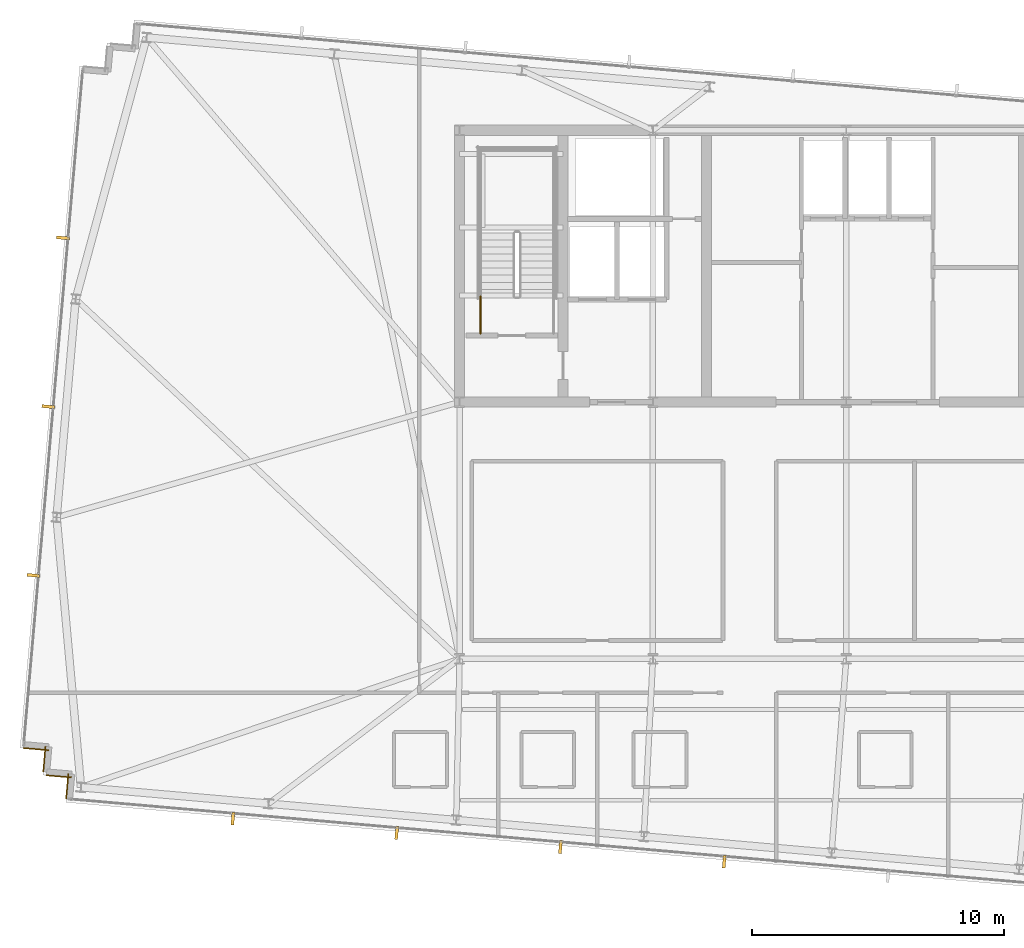
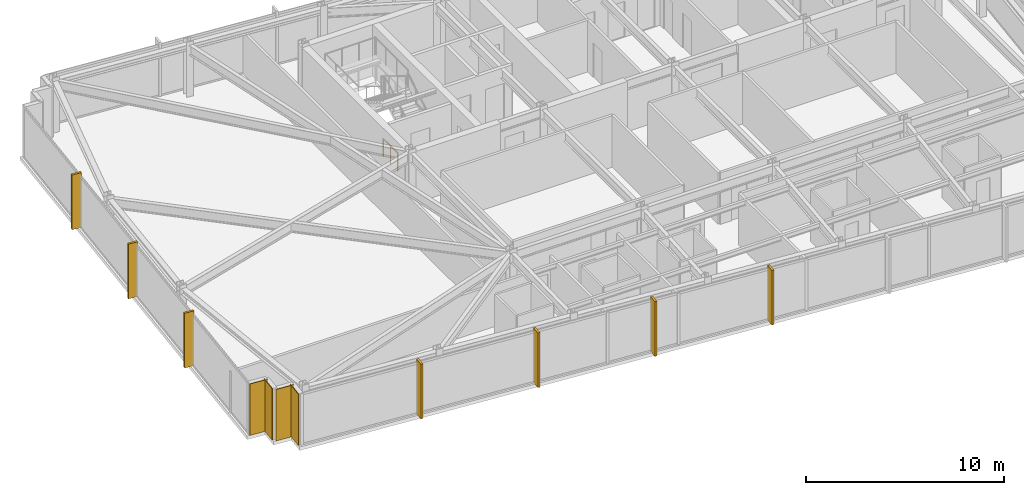
# One storey, part 30 of 33: 7 shading devices, 4 coverings, 1 railing.
"""IFC4 building model written with IfcOpenShell, lengths in metres."""

from ifc_helpers import new_model, si_unit, direction, frame, frame_2d, origin, origin_2d, place, context, subcontext, project, spatial, rectangle, circle, extrude, material, layer, layer_set, type_object, element, save


model = new_model("IFC4")

# Units and contexts
model_context = context("Model", 3, precision=1e-05, world=origin(), true_north=direction((0.0, 1.0)))
body_context = subcontext(model_context, "Body", "Model", "MODEL_VIEW")
ifc_project = project(units=[si_unit("LENGTHUNIT", "METRE"), si_unit("AREAUNIT", "SQUARE_METRE"), si_unit("VOLUMEUNIT", "CUBIC_METRE"), si_unit("PLANEANGLEUNIT", "RADIAN"), si_unit("MASSUNIT", "GRAM", prefix="KILO")], contexts=[model_context])

# Site, building, storey
site_placement = place(None, origin())
site = spatial("IfcSite", under=ifc_project, at=site_placement, CompositionType="ELEMENT")
building_placement = place(site_placement, origin())
building = spatial("IfcBuilding", under=site, at=building_placement, Name="Yelkora Congress Tower", CompositionType="ELEMENT")
storey_placement = place(building_placement, frame((0.0, 0.0, 286.300048828125)))
storey = spatial("IfcBuildingStorey", under=building, at=storey_placement, Name="L80", CompositionType="ELEMENT", Elevation=286.300048828125)

# Coverings
ifc_material_1 = material(Name="Anatolian bush-hammered limestone", Category="masonry")
ifc_layer_1 = layer(ifc_material_1, 0.0400390625)
ifc_layer_set_1 = layer_set([ifc_layer_1], Name="Anatolian bush-hammered limestone")
covering_type = type_object("IfcCoveringType", Name="COV-CLAD-SPANDREL-40", PredefinedType="CLADDING", material=ifc_layer_set_1)
for number, where, z_axis, x_axis, name in (
    (1, (7.41064453125, 19.63720703125, 0.0), (0.0, 0.0, 1.0), (0.087166950281, 0.996193717496, 0.0), "L80 Anatolian Limestone Cladding EW-L80-SR01"),
    (2, (7.62060546875, 20.4873046875, 0.0), (0.0, 0.0, 1.0), (-0.996214890596, 0.086924632611, 0.0), "L80 Anatolian Limestone Cladding EW-L80-SR02"),
):
    element("IfcCovering", number, at=place(storey_placement, frame(where, z_axis=z_axis, x_axis=x_axis)), inside=storey, type_object=covering_type, Name=name, PredefinedType="CLADDING", context=body_context, shape_type="SweptSolid", body=[
        extrude(rectangle(XDim=1.0, YDim=0.0400390625, at=frame_2d((0.5, 0.0))), origin(), (0.0, 0.0, 1.0), 3.179931640625),
    ])
covering_1_placement = place(storey_placement, frame((6.501708984375, 20.720458984375, 0.0), z_axis=(0.0, 0.0, 1.0), x_axis=(0.087145753297, 0.996195572005, 0.0)))
element("IfcCovering", 3, at=covering_1_placement, inside=storey, type_object=covering_type, Name="L80 Anatolian Limestone Cladding EW-L80-SR03", PredefinedType="CLADDING", context=body_context, shape_type="SweptSolid", body=[
    extrude(rectangle(XDim=1.000244140625, YDim=0.0400390625, at=frame_2d((0.5, 0.0))), origin(), (0.0, 0.0, 1.0), 3.179931640625),
])
covering_2_placement = place(storey_placement, frame((6.71142578125, 21.570556640625, 0.0), z_axis=(0.0, 0.0, 1.0), x_axis=(-0.996193717496, 0.087166950281, 0.0)))
element("IfcCovering", 4, at=covering_2_placement, inside=storey, type_object=covering_type, Name="L80 Anatolian Limestone Cladding EW-L80-SR04", PredefinedType="CLADDING", context=body_context, shape_type="SweptSolid", body=[
    extrude(rectangle(XDim=1.0, YDim=0.0400390625, at=frame_2d((0.5, 0.0))), origin(), (0.0, 0.0, 1.0), 3.179931640625),
])

# Railing
ifc_material_2 = material(Name="Painted galvanised steel stair well guard with vertical infill", Category="steel")
ifc_layer_2 = layer(ifc_material_2, 0.06005859375)
ifc_layer_set_2 = layer_set([ifc_layer_2], Name="Painted galvanised steel stair well guard with vertical infill")
railing_type = type_object("IfcRailingType", Name="RAIL-STAIR-GUARD-1120", PredefinedType="GUARDRAIL", material=ifc_layer_set_2)
railing_placement = place(storey_placement, frame((23.8701171875, 38.1201171875, 0.0)))
element("IfcRailing", 5, at=railing_placement, inside=storey, type_object=railing_type, Name="ST-01 L80 Stair Well Guardrail 9", PredefinedType="GUARDRAIL", context=body_context, shape_type="SweptSolid", body=[
    extrude(circle(Radius=0.02392578125, at=origin_2d()), frame((0.0, 0.0, 1.09619140625), z_axis=(0.0, 1.0, 0.0), x_axis=(-1.0, 0.0, 0.0)), (0.0, 0.0, 1.0), 1.47998046875),
    extrude(circle(Radius=0.02099609375, at=origin_2d()), origin(), (0.0, 0.0, 1.0), 1.072021484375),
    extrude(circle(Radius=0.02099609375, at=origin_2d()), frame((0.0, 0.739990234375, 0.0)), (0.0, 0.0, 1.0), 1.072021484375),
    extrude(circle(Radius=0.02099609375, at=origin_2d()), frame((0.0, 1.47998046875, 0.0)), (0.0, 0.0, 1.0), 1.072021484375),
])

# Shading devices
ifc_material_3 = material(Name="Champagne anodised aluminium", Category="aluminium")
ifc_layer_3 = layer(ifc_material_3, 3.300048828125)
ifc_layer_set_3 = layer_set([ifc_layer_3], Name="Champagne anodised aluminium")
shading_device_type = type_object("IfcShadingDeviceType", Name="SHD-FIN-ALU-520", PredefinedType="USERDEFINED", material=ifc_layer_set_3)
for number, where, z_axis, x_axis, name in (
    (6, (6.114501953125, 28.513916015625, -0.030029296875), (0.0, 0.0, 1.0), (0.087155742748, 0.996194698092, 0.0), "L80 Vertical Anodised Solar Fin 5-1"),
    (7, (6.700927734375, 35.218505859375, -0.030029296875), (0.0, 0.0, 1.0), (0.087155742748, 0.996194698092, 0.0), "L80 Vertical Anodised Solar Fin 5-2"),
    (8, (7.28759765625, 41.9228515625, -0.030029296875), (0.0, 0.0, 1.0), (0.087155742748, 0.996194698092, 0.0), "L80 Vertical Anodised Solar Fin 5-3"),
    (9, (33.553955078125, 17.149169921875, -0.030029296875), (0.0, 0.0, 1.0), (-0.996194698092, 0.087155742748, 0.0), "L80 Vertical Anodised Solar Fin 20-3"),
    (10, (27.04736328125, 17.718505859375, -0.030029296875), (0.0, 0.0, 1.0), (-0.996194698092, 0.087155742748, 0.0), "L80 Vertical Anodised Solar Fin 20-4"),
    (11, (20.541015625, 18.28759765625, -0.030029296875), (0.0, 0.0, 1.0), (-0.996194698092, 0.087155742748, 0.0), "L80 Vertical Anodised Solar Fin 20-5"),
    (12, (14.0341796875, 18.85693359375, -0.030029296875), (0.0, 0.0, 1.0), (-0.996194698092, 0.087155742748, 0.0), "L80 Vertical Anodised Solar Fin 20-6"),
):
    element("IfcShadingDevice", number, at=place(storey_placement, frame(where, z_axis=z_axis, x_axis=x_axis)), inside=storey, type_object=shading_device_type, Name=name, ObjectType="FIN", PredefinedType="USERDEFINED", context=body_context, shape_type="SweptSolid", body=[
        extrude(rectangle(XDim=0.1201171875, YDim=0.52001953125, at=origin_2d()), origin(), (0.0, 0.0, 1.0), 3.3798828125),
    ])

save(model, "model.ifc")
